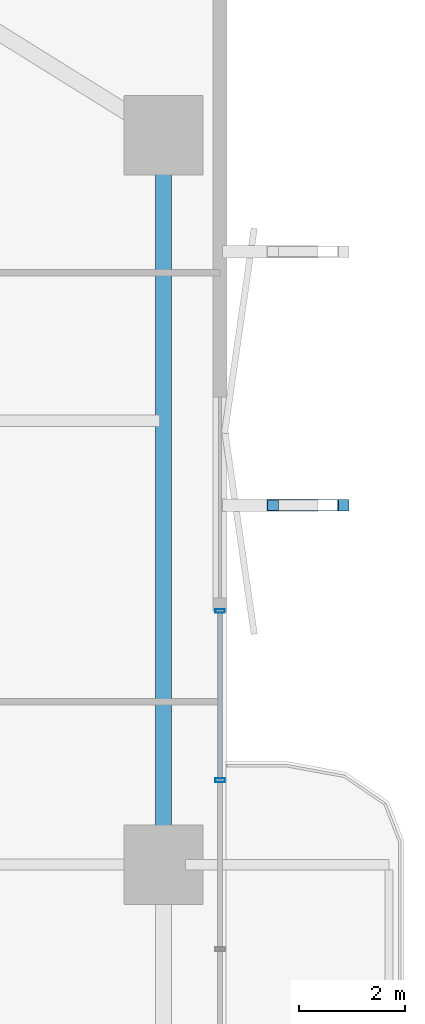
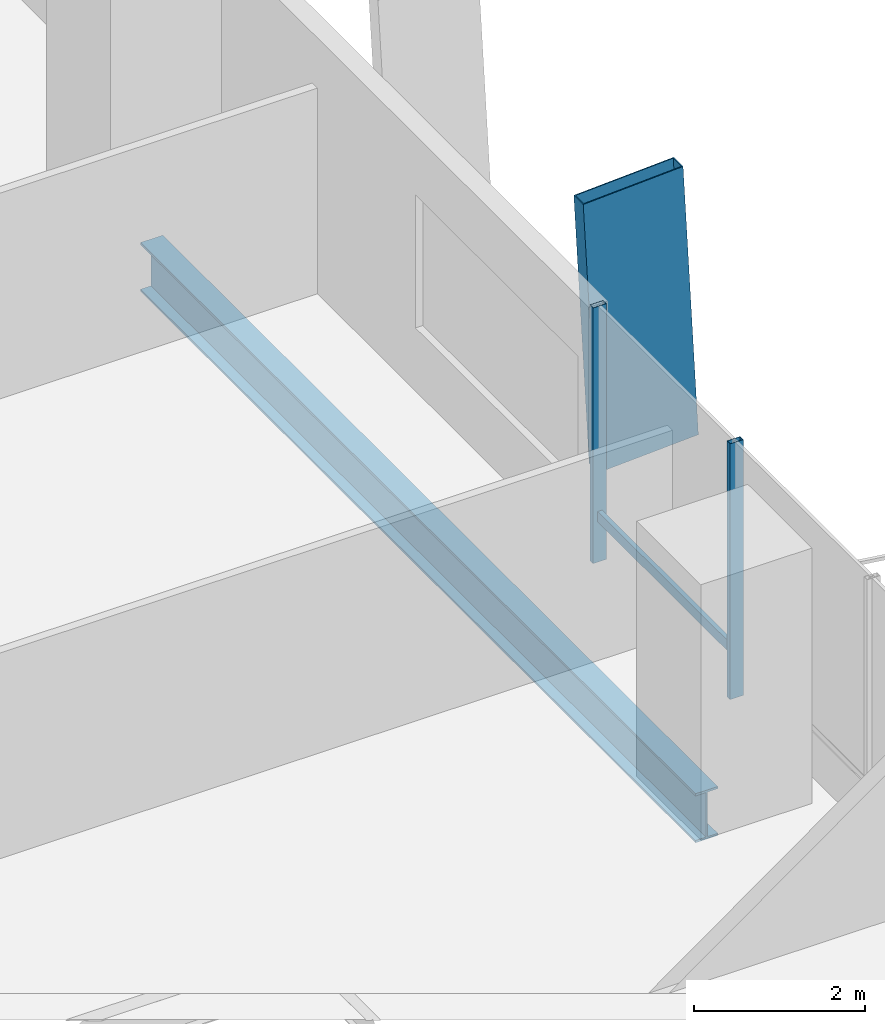
# One storey, part 13 of 23: 4 members, 1 beam, 1 element without a shape of its own.
"""IFC4 building model written with IfcOpenShell, lengths in metres."""

from ifc_helpers import new_model, si_unit, direction, frame, origin, origin_2d, place, context, subcontext, project, spatial, hollow_rectangle, i_section, extrude, material, layer, layer_set, material_profile, profile_set, type_object, element, aggregate, save


model = new_model("IFC4")

# Units and contexts
model_context = context("Model", 3, precision=1e-05, world=origin(), true_north=direction((0.0, 1.0)))
body_context = subcontext(model_context, "Body", "Model", "MODEL_VIEW")
ifc_project = project(units=[si_unit("LENGTHUNIT", "METRE"), si_unit("AREAUNIT", "SQUARE_METRE"), si_unit("VOLUMEUNIT", "CUBIC_METRE"), si_unit("PLANEANGLEUNIT", "RADIAN"), si_unit("MASSUNIT", "GRAM", prefix="KILO")], contexts=[model_context])

# Site, building, storey
site_placement = place(None, origin())
site = spatial("IfcSite", under=ifc_project, at=site_placement, CompositionType="ELEMENT")
building_placement = place(site_placement, origin())
building = spatial("IfcBuilding", under=site, at=building_placement, Name="Belovzor Exchange Tower", CompositionType="ELEMENT")
storey_placement = place(building_placement, frame((0.0, 0.0, 65.10009765625)))
storey = spatial("IfcBuildingStorey", under=building, at=storey_placement, Name="L15", CompositionType="ELEMENT", Elevation=65.10009765625)

# Member
ifc_material_1 = material(Name="Extruded Architectural Terracotta on Steel S355 Carrier", Category="masonry")
ifc_material_profile_1 = material_profile(ifc_material_1, hollow_rectangle(XDim=0.219970703125, YDim=1.35009765625, WallThickness=0.013916015625, at=origin_2d()))
ifc_profile_set_1 = profile_set([ifc_material_profile_1], Name="Extruded Architectural Terracotta on Steel S355 Carrier")
member_type_1 = type_object("IfcMemberType", Name="Base Arc Sweeping Terracotta Pylon Fin 1450", PredefinedType="USERDEFINED", material=ifc_profile_set_1)
member_1_placement = place(storey_placement, frame((58.339111328125, 35.60009765625, -0.25), z_axis=(-0.053011620344, 0.0, 0.998593895489), x_axis=(0.0, -1.0, 0.0)))
element("IfcMember", 1, at=member_1_placement, inside=storey, type_object=member_type_1, Name="FIN-TC145 Terracotta Facade Fin L15 E3", ObjectType="FIN", PredefinedType="USERDEFINED", context=body_context, shape_type="SweptSolid", body=[
    extrude(hollow_rectangle(XDim=0.219970703125, YDim=1.35009765625, WallThickness=0.013916015625, at=origin_2d()), origin(), (0.0, 0.0, 1.0), 3.9052734375),
])

# Curtain wall, members
ifc_material_2 = material(Name="Anodised Aluminium Framing", Category="aluminium")
ifc_layer = layer(ifc_material_2, 0.179931640625)
ifc_layer_set = layer_set([ifc_layer], Name="Anodised Aluminium Framing")
curtain_wall_type = type_object("IfcCurtainWallType", Name="Recessed Loggia Low-Iron Triple-Glazed Curtain Wall", PredefinedType="NOTDEFINED", material=ifc_layer_set)
curtain_wall_placement = place(storey_placement, origin())
curtain_wall = element("IfcCurtainWall", 2, at=curtain_wall_placement, inside=storey, type_object=curtain_wall_type, Name="CW3 Recessed Loggia Low-Iron Triple-Glazed Curtain Wall L15", PredefinedType="NOTDEFINED")
ifc_material_3 = material(Name="Steel S355", Category="steel")
ifc_material_profile_2 = material_profile(ifc_material_3, hollow_rectangle(XDim=0.074951171875, YDim=0.179931640625, WallThickness=0.0048828125, at=origin_2d()))
ifc_profile_set_2 = profile_set([ifc_material_profile_2], Name="Steel S355")
member_type_2 = type_object("IfcMemberType", Name="Thermally Broken Curtain Wall Mullion 180x75", PredefinedType="MULLION", material=ifc_profile_set_2)
member_2_placement = place(storey_placement, frame((56.570068359375, 33.60009765625, 0.0), z_axis=(0.0, 0.0, 1.0), x_axis=(0.0, -1.0, 0.0)))
member_2 = element("IfcMember", 3, at=member_2_placement, type_object=member_type_2, Name="CW-M180 Curtain Wall Mullion 1", PredefinedType="MULLION", context=body_context, shape_type="SweptSolid", body=[
    extrude(hollow_rectangle(XDim=0.074951171875, YDim=0.179931640625, WallThickness=0.0048828125, at=origin_2d()), origin(), (0.0, 0.0, 1.0), 3.64990234375),
])
member_3_placement = place(storey_placement, frame((56.570068359375, 30.39990234375, 0.0), z_axis=(0.0, 0.0, 1.0), x_axis=(0.0, -1.0, 0.0)))
member_3 = element("IfcMember", 4, at=member_3_placement, type_object=member_type_2, Name="CW-M180 Curtain Wall Mullion 2", PredefinedType="MULLION", context=body_context, shape_type="SweptSolid", body=[
    extrude(hollow_rectangle(XDim=0.074951171875, YDim=0.179931640625, WallThickness=0.0048828125, at=origin_2d()), origin(), (0.0, 0.0, 1.0), 3.64990234375),
])
ifc_material_4 = material(Name="Steel S355", Category="steel")
ifc_material_profile_3 = material_profile(ifc_material_4, hollow_rectangle(XDim=0.06005859375, YDim=0.14990234375, WallThickness=0.00390625, at=origin_2d()))
ifc_profile_set_3 = profile_set([ifc_material_profile_3], Name="Steel S355")
member_type_3 = type_object("IfcMemberType", Name="Thermally Broken Curtain Wall Transom 150x60", PredefinedType="USERDEFINED", material=ifc_profile_set_3)
member_4_placement = place(storey_placement, frame((56.570068359375, 33.592041015625, 0.64990234375), z_axis=(0.0, -1.0, 0.0), x_axis=(1.0, 0.0, 0.0)))
member_4 = element("IfcMember", 5, at=member_4_placement, type_object=member_type_3, Name="CW-T150 Curtain Wall Transom 1", ObjectType="TRANSOM", PredefinedType="USERDEFINED", context=body_context, shape_type="SweptSolid", body=[
    extrude(hollow_rectangle(XDim=0.06005859375, YDim=0.14990234375, WallThickness=0.00390625, at=origin_2d()), origin(), (0.0, 0.0, 1.0), 3.18408203125),
])
aggregate(curtain_wall, [member_2, member_3, member_4])

# Beam
ifc_material_5 = material(Name="Steel S355", Category="steel")
ifc_material_profile_4 = material_profile(ifc_material_5, i_section(OverallWidth=0.300048828125, OverallDepth=0.699951171875, WebThickness=0.01708984375, FlangeThickness=0.031982421875, at=origin_2d()))
ifc_profile_set_4 = profile_set([ifc_material_profile_4], Name="Steel S355")
beam_type = type_object("IfcBeamType", Name="Zone 1 Primary Perimeter Girder HEB 700", PredefinedType="BEAM", material=ifc_profile_set_4)
beam_placement = place(storey_placement, frame((55.5, 29.212890625, -0.60009765625), z_axis=(0.0, 1.0, 0.0), x_axis=(-1.0, 0.0, 0.0)))
element("IfcBeam", 6, at=beam_placement, inside=storey, type_object=beam_type, Name="FG-Z1 Zone 1 Primary Perimeter Girder HEB 700", PredefinedType="BEAM", context=body_context, shape_type="SweptSolid", body=[
    extrude(i_section(OverallWidth=0.300048828125, OverallDepth=0.699951171875, WebThickness=0.01708984375, FlangeThickness=0.031982421875, at=origin_2d()), origin(), (0.0, 0.0, 1.0), 12.97509765625),
])

save(model, "model.ifc")
